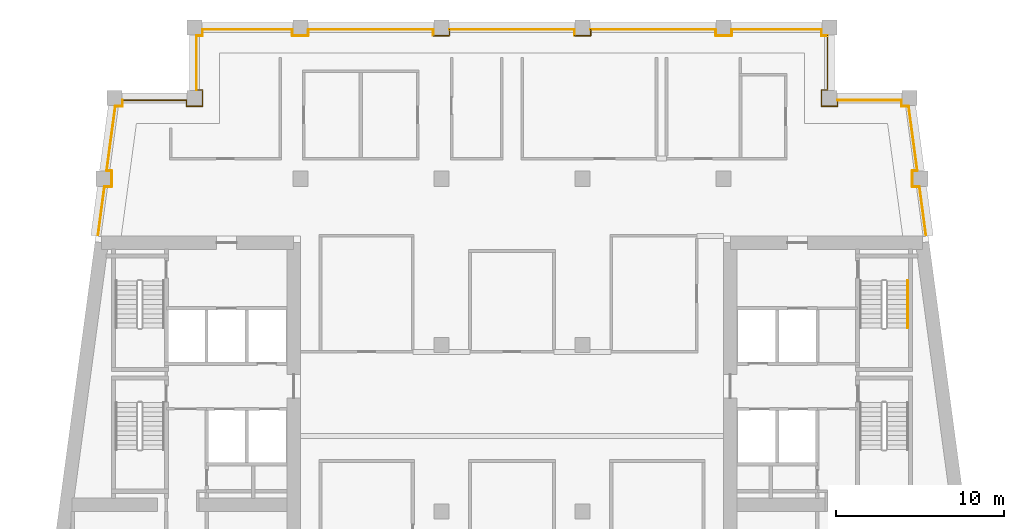
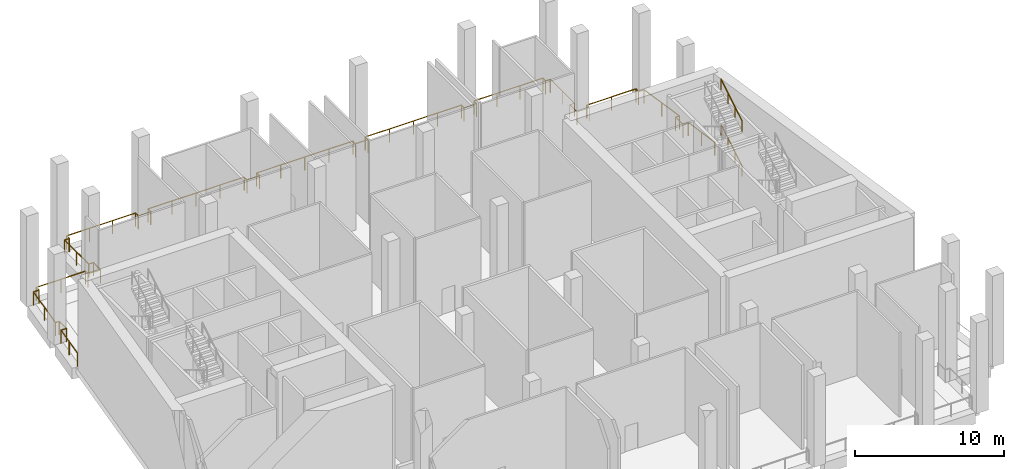
# One storey, part 10 of 10: 17 railings.
"""IFC4 building model written with IfcOpenShell, lengths in metres."""

from ifc_helpers import new_model, si_unit, direction, frame, origin, origin_2d, place, context, subcontext, project, spatial, circle, extrude, material, type_object, element, save


model = new_model("IFC4")

# Units and contexts
model_context = context("Model", 3, precision=1e-05, world=origin(), true_north=direction((0.0, 1.0)))
body_context = subcontext(model_context, "Body", "Model", "MODEL_VIEW")
ifc_project = project(units=[si_unit("LENGTHUNIT", "METRE"), si_unit("AREAUNIT", "SQUARE_METRE"), si_unit("VOLUMEUNIT", "CUBIC_METRE"), si_unit("PLANEANGLEUNIT", "RADIAN"), si_unit("MASSUNIT", "GRAM", prefix="KILO")], contexts=[model_context])

# Site, building, storey
site_placement = place(None, origin())
site = spatial("IfcSite", under=ifc_project, at=site_placement, CompositionType="ELEMENT")
building_placement = place(site_placement, origin())
building = spatial("IfcBuilding", under=site, at=building_placement, Name="Candeia Pilgrim Tower and Theatre", CompositionType="ELEMENT")
storey_placement = place(building_placement, frame((0.0, 0.0, 246.60009765625)))
storey = spatial("IfcBuildingStorey", under=building, at=storey_placement, Name="L60", CompositionType="ELEMENT", Elevation=246.60009765625)

# Railings
ifc_material_1 = material(Name="Stainless steel balustrade", Category="steel")
railing_type_1 = type_object("IfcRailingType", Name="G1 loggia guard 1100", PredefinedType="GUARDRAIL", material=ifc_material_1)
railing_1_placement = place(storey_placement, frame((88.758544921875, 132.449951171875, 0.0)))
element("IfcRailing", 1, at=railing_1_placement, inside=storey, type_object=railing_type_1, Name="Guard L60.4", PredefinedType="GUARDRAIL", context=body_context, shape_type="SweptSolid", body=[
    extrude(circle(Radius=0.02392578125, at=origin_2d()), frame((0.0, 0.0, 1.076171875), z_axis=(0.133450228179, 0.991055516406, 0.0), x_axis=(-0.991055516406, 0.133450228179, 0.0)), (0.0, 0.0, 1.0), 2.89599609375),
    extrude(circle(Radius=0.02392578125, at=origin_2d()), frame((0.386474609375, 2.8701171875, 1.076171875), z_axis=(1.0, 0.0, 0.0), x_axis=(0.0, 1.0, 0.0)), (0.0, 0.0, 1.0), 0.42333984375),
    extrude(circle(Radius=0.02392578125, at=origin_2d()), frame((0.809814453125, 2.8701171875, 1.076171875), z_axis=(0.0, 1.0, 0.0), x_axis=(-1.0, 0.0, 0.0)), (0.0, 0.0, 1.0), 0.9599609375),
    extrude(circle(Radius=0.02392578125, at=origin_2d()), frame((0.809814453125, 3.830078125, 1.076171875), z_axis=(-1.0, 0.0, 0.0), x_axis=(0.0, -1.0, 0.0)), (0.0, 0.0, 1.0), 0.294189453125),
    extrude(circle(Radius=0.02099609375, at=origin_2d()), origin(), (0.0, 0.0, 1.0), 1.052001953125),
    extrude(circle(Radius=0.02099609375, at=origin_2d()), frame((0.193359375, 1.43505859375, 0.0)), (0.0, 0.0, 1.0), 1.052001953125),
    extrude(circle(Radius=0.02099609375, at=origin_2d()), frame((0.386474609375, 2.8701171875, 0.0)), (0.0, 0.0, 1.0), 1.052001953125),
    extrude(circle(Radius=0.02099609375, at=origin_2d()), frame((0.809814453125, 2.8701171875, 0.0)), (0.0, 0.0, 1.0), 1.052001953125),
    extrude(circle(Radius=0.02099609375, at=origin_2d()), frame((0.809814453125, 3.830078125, 0.0)), (0.0, 0.0, 1.0), 1.052001953125),
    extrude(circle(Radius=0.02099609375, at=origin_2d()), frame((0.515625, 3.830078125, 0.0)), (0.0, 0.0, 1.0), 1.052001953125),
])
railing_2_placement = place(storey_placement, frame((89.274169921875, 136.280029296875, 0.0)))
element("IfcRailing", 2, at=railing_2_placement, inside=storey, type_object=railing_type_1, Name="Guard L60.5", PredefinedType="GUARDRAIL", context=body_context, shape_type="SweptSolid", body=[
    extrude(circle(Radius=0.02392578125, at=origin_2d()), frame((0.0, 0.0, 1.076171875), z_axis=(0.133389399471, 0.991063705374, 0.0), x_axis=(-0.991063705374, 0.133389399471, 0.0)), (0.0, 0.0, 1.0), 3.874755859375),
    extrude(circle(Radius=0.02392578125, at=origin_2d()), frame((0.516845703125, 3.840087890625, 1.076171875), z_axis=(1.0, 0.0, 0.0), x_axis=(0.0, 1.0, 0.0)), (0.0, 0.0, 1.0), 0.423583984375),
    extrude(circle(Radius=0.02392578125, at=origin_2d()), frame((0.9404296875, 3.840087890625, 1.076171875), z_axis=(0.0, 1.0, 0.0), x_axis=(-1.0, 0.0, 0.0)), (0.0, 0.0, 1.0), 0.35986328125),
    extrude(circle(Radius=0.02099609375, at=origin_2d()), origin(), (0.0, 0.0, 1.0), 1.052001953125),
    extrude(circle(Radius=0.02099609375, at=origin_2d()), frame((0.25830078125, 1.919921875, 0.0)), (0.0, 0.0, 1.0), 1.052001953125),
    extrude(circle(Radius=0.02099609375, at=origin_2d()), frame((0.516845703125, 3.840087890625, 0.0)), (0.0, 0.0, 1.0), 1.052001953125),
    extrude(circle(Radius=0.02099609375, at=origin_2d()), frame((0.9404296875, 3.840087890625, 0.0)), (0.0, 0.0, 1.0), 1.052001953125),
    extrude(circle(Radius=0.02099609375, at=origin_2d()), frame((0.9404296875, 4.199951171875, 0.0)), (0.0, 0.0, 1.0), 1.052001953125),
])
railing_3_placement = place(storey_placement, frame((90.214599609375, 140.47998046875, 0.0)))
element("IfcRailing", 3, at=railing_3_placement, inside=storey, type_object=railing_type_1, Name="Guard L60.6", PredefinedType="GUARDRAIL", context=body_context, shape_type="SweptSolid", body=[
    extrude(circle(Radius=0.02392578125, at=origin_2d()), frame((0.0, 0.0, 1.076171875), z_axis=(1.0, 0.0, 0.0), x_axis=(0.0, 1.0, 0.0)), (0.0, 0.0, 1.0), 3.805419921875),
    extrude(circle(Radius=0.02392578125, at=origin_2d()), frame((3.805419921875, 0.0, 1.076171875), z_axis=(0.0, -1.0, 0.0), x_axis=(1.0, 0.0, 0.0)), (0.0, 0.0, 1.0), 0.35986328125),
    extrude(circle(Radius=0.02392578125, at=origin_2d()), frame((3.805419921875, -0.35986328125, 1.076171875), z_axis=(1.0, 0.0, 0.0), x_axis=(0.0, 1.0, 0.0)), (0.0, 0.0, 1.0), 0.9599609375),
    extrude(circle(Radius=0.02392578125, at=origin_2d()), frame((4.765380859375, -0.35986328125, 1.076171875), z_axis=(0.0, 1.0, 0.0), x_axis=(-1.0, 0.0, 0.0)), (0.0, 0.0, 1.0), 0.9599609375),
    extrude(circle(Radius=0.02392578125, at=origin_2d()), frame((4.765380859375, 0.60009765625, 1.076171875), z_axis=(-1.0, 0.0, 0.0), x_axis=(0.0, -1.0, 0.0)), (0.0, 0.0, 1.0), 0.35986328125),
    extrude(circle(Radius=0.02099609375, at=origin_2d()), origin(), (0.0, 0.0, 1.0), 1.052001953125),
    extrude(circle(Radius=0.02099609375, at=origin_2d()), frame((1.90283203125, 0.0, 0.0)), (0.0, 0.0, 1.0), 1.052001953125),
    extrude(circle(Radius=0.02099609375, at=origin_2d()), frame((3.805419921875, 0.0, 0.0)), (0.0, 0.0, 1.0), 1.052001953125),
    extrude(circle(Radius=0.02099609375, at=origin_2d()), frame((3.805419921875, -0.35986328125, 0.0)), (0.0, 0.0, 1.0), 1.052001953125),
    extrude(circle(Radius=0.02099609375, at=origin_2d()), frame((4.765380859375, -0.35986328125, 0.0)), (0.0, 0.0, 1.0), 1.052001953125),
    extrude(circle(Radius=0.02099609375, at=origin_2d()), frame((4.765380859375, 0.60009765625, 0.0)), (0.0, 0.0, 1.0), 1.052001953125),
    extrude(circle(Radius=0.02099609375, at=origin_2d()), frame((4.405517578125, 0.60009765625, 0.0)), (0.0, 0.0, 1.0), 1.052001953125),
])
railing_4_placement = place(storey_placement, frame((94.6201171875, 141.080078125, 0.0)))
element("IfcRailing", 4, at=railing_4_placement, inside=storey, type_object=railing_type_1, Name="Guard L60.7", PredefinedType="GUARDRAIL", context=body_context, shape_type="SweptSolid", body=[
    extrude(circle(Radius=0.02392578125, at=origin_2d()), frame((0.0, 0.0, 1.076171875), z_axis=(0.0, 1.0, 0.0), x_axis=(-1.0, 0.0, 0.0)), (0.0, 0.0, 1.0), 3.239990234375),
    extrude(circle(Radius=0.02392578125, at=origin_2d()), frame((0.0, 3.239990234375, 1.076171875), z_axis=(1.0, 0.0, 0.0), x_axis=(0.0, 1.0, 0.0)), (0.0, 0.0, 1.0), 0.35986328125),
    extrude(circle(Radius=0.02392578125, at=origin_2d()), frame((0.35986328125, 3.239990234375, 1.076171875), z_axis=(0.0, 1.0, 0.0), x_axis=(-1.0, 0.0, 0.0)), (0.0, 0.0, 1.0), 0.35986328125),
    extrude(circle(Radius=0.02099609375, at=origin_2d()), origin(), (0.0, 0.0, 1.0), 1.052001953125),
    extrude(circle(Radius=0.02099609375, at=origin_2d()), frame((0.0, 1.6201171875, 0.0)), (0.0, 0.0, 1.0), 1.052001953125),
    extrude(circle(Radius=0.02099609375, at=origin_2d()), frame((0.0, 3.239990234375, 0.0)), (0.0, 0.0, 1.0), 1.052001953125),
    extrude(circle(Radius=0.02099609375, at=origin_2d()), frame((0.35986328125, 3.239990234375, 0.0)), (0.0, 0.0, 1.0), 1.052001953125),
    extrude(circle(Radius=0.02099609375, at=origin_2d()), frame((0.35986328125, 3.599853515625, 0.0)), (0.0, 0.0, 1.0), 1.052001953125),
])
railing_5_placement = place(storey_placement, frame((94.97998046875, 144.679931640625, 0.0)))
element("IfcRailing", 5, at=railing_5_placement, inside=storey, type_object=railing_type_1, Name="Guard L60.8", PredefinedType="GUARDRAIL", context=body_context, shape_type="SweptSolid", body=[
    extrude(circle(Radius=0.02392578125, at=origin_2d()), frame((0.0, 0.0, 1.076171875), z_axis=(1.0, 0.0, 0.0), x_axis=(0.0, 1.0, 0.0)), (0.0, 0.0, 1.0), 5.340087890625),
    extrude(circle(Radius=0.02392578125, at=origin_2d()), frame((5.340087890625, 0.0, 1.076171875), z_axis=(0.0, -1.0, 0.0), x_axis=(1.0, 0.0, 0.0)), (0.0, 0.0, 1.0), 0.35986328125),
    extrude(circle(Radius=0.02392578125, at=origin_2d()), frame((5.340087890625, -0.35986328125, 1.076171875), z_axis=(1.0, 0.0, 0.0), x_axis=(0.0, 1.0, 0.0)), (0.0, 0.0, 1.0), 0.9599609375),
    extrude(circle(Radius=0.02392578125, at=origin_2d()), frame((6.300048828125, -0.35986328125, 1.076171875), z_axis=(0.0, 1.0, 0.0), x_axis=(-1.0, 0.0, 0.0)), (0.0, 0.0, 1.0), 0.35986328125),
    extrude(circle(Radius=0.02099609375, at=origin_2d()), origin(), (0.0, 0.0, 1.0), 1.052001953125),
    extrude(circle(Radius=0.02099609375, at=origin_2d()), frame((1.780029296875, 0.0, 0.0)), (0.0, 0.0, 1.0), 1.052001953125),
    extrude(circle(Radius=0.02099609375, at=origin_2d()), frame((3.56005859375, 0.0, 0.0)), (0.0, 0.0, 1.0), 1.052001953125),
    extrude(circle(Radius=0.02099609375, at=origin_2d()), frame((5.340087890625, 0.0, 0.0)), (0.0, 0.0, 1.0), 1.052001953125),
    extrude(circle(Radius=0.02099609375, at=origin_2d()), frame((5.340087890625, -0.35986328125, 0.0)), (0.0, 0.0, 1.0), 1.052001953125),
    extrude(circle(Radius=0.02099609375, at=origin_2d()), frame((6.300048828125, -0.35986328125, 0.0)), (0.0, 0.0, 1.0), 1.052001953125),
    extrude(circle(Radius=0.02099609375, at=origin_2d()), frame((6.300048828125, 0.0, 0.0)), (0.0, 0.0, 1.0), 1.052001953125),
])
railing_6_placement = place(storey_placement, frame((101.280029296875, 144.679931640625, 0.0)))
element("IfcRailing", 6, at=railing_6_placement, inside=storey, type_object=railing_type_1, Name="Guard L60.9", PredefinedType="GUARDRAIL", context=body_context, shape_type="SweptSolid", body=[
    extrude(circle(Radius=0.02392578125, at=origin_2d()), frame((0.0, 0.0, 1.076171875), z_axis=(1.0, 0.0, 0.0), x_axis=(0.0, 1.0, 0.0)), (0.0, 0.0, 1.0), 7.43994140625),
    extrude(circle(Radius=0.02392578125, at=origin_2d()), frame((7.43994140625, 0.0, 1.076171875), z_axis=(0.0, -1.0, 0.0), x_axis=(1.0, 0.0, 0.0)), (0.0, 0.0, 1.0), 0.35986328125),
    extrude(circle(Radius=0.02099609375, at=origin_2d()), origin(), (0.0, 0.0, 1.0), 1.052001953125),
    extrude(circle(Radius=0.02099609375, at=origin_2d()), frame((1.85986328125, 0.0, 0.0)), (0.0, 0.0, 1.0), 1.052001953125),
    extrude(circle(Radius=0.02099609375, at=origin_2d()), frame((3.719970703125, 0.0, 0.0)), (0.0, 0.0, 1.0), 1.052001953125),
    extrude(circle(Radius=0.02099609375, at=origin_2d()), frame((5.580078125, 0.0, 0.0)), (0.0, 0.0, 1.0), 1.052001953125),
    extrude(circle(Radius=0.02099609375, at=origin_2d()), frame((7.43994140625, 0.0, 0.0)), (0.0, 0.0, 1.0), 1.052001953125),
    extrude(circle(Radius=0.02099609375, at=origin_2d()), frame((7.43994140625, -0.35986328125, 0.0)), (0.0, 0.0, 1.0), 1.052001953125),
])
railing_7_placement = place(storey_placement, frame((108.719970703125, 144.320068359375, 0.0)))
element("IfcRailing", 7, at=railing_7_placement, inside=storey, type_object=railing_type_1, Name="Guard L60.10", PredefinedType="GUARDRAIL", context=body_context, shape_type="SweptSolid", body=[
    extrude(circle(Radius=0.02392578125, at=origin_2d()), frame((0.0, 0.0, 1.076171875), z_axis=(1.0, 0.0, 0.0), x_axis=(0.0, 1.0, 0.0)), (0.0, 0.0, 1.0), 0.9599609375),
    extrude(circle(Radius=0.02392578125, at=origin_2d()), frame((0.9599609375, 0.0, 1.076171875), z_axis=(0.0, 1.0, 0.0), x_axis=(-1.0, 0.0, 0.0)), (0.0, 0.0, 1.0), 0.35986328125),
    extrude(circle(Radius=0.02099609375, at=origin_2d()), origin(), (0.0, 0.0, 1.0), 1.052001953125),
    extrude(circle(Radius=0.02099609375, at=origin_2d()), frame((0.9599609375, 0.0, 0.0)), (0.0, 0.0, 1.0), 1.052001953125),
    extrude(circle(Radius=0.02099609375, at=origin_2d()), frame((0.9599609375, 0.35986328125, 0.0)), (0.0, 0.0, 1.0), 1.052001953125),
])
railing_8_placement = place(storey_placement, frame((109.679931640625, 144.679931640625, 0.0)))
element("IfcRailing", 8, at=railing_8_placement, inside=storey, type_object=railing_type_1, Name="Guard L60.11", PredefinedType="GUARDRAIL", context=body_context, shape_type="SweptSolid", body=[
    extrude(circle(Radius=0.02392578125, at=origin_2d()), frame((0.0, 0.0, 1.076171875), z_axis=(1.0, 0.0, 0.0), x_axis=(0.0, 1.0, 0.0)), (0.0, 0.0, 1.0), 7.440185546875),
    extrude(circle(Radius=0.02392578125, at=origin_2d()), frame((7.440185546875, 0.0, 1.076171875), z_axis=(0.0, -1.0, 0.0), x_axis=(1.0, 0.0, 0.0)), (0.0, 0.0, 1.0), 0.35986328125),
    extrude(circle(Radius=0.02099609375, at=origin_2d()), origin(), (0.0, 0.0, 1.0), 1.052001953125),
    extrude(circle(Radius=0.02099609375, at=origin_2d()), frame((1.860107421875, 0.0, 0.0)), (0.0, 0.0, 1.0), 1.052001953125),
    extrude(circle(Radius=0.02099609375, at=origin_2d()), frame((3.72021484375, 0.0, 0.0)), (0.0, 0.0, 1.0), 1.052001953125),
    extrude(circle(Radius=0.02099609375, at=origin_2d()), frame((5.580078125, 0.0, 0.0)), (0.0, 0.0, 1.0), 1.052001953125),
    extrude(circle(Radius=0.02099609375, at=origin_2d()), frame((7.440185546875, 0.0, 0.0)), (0.0, 0.0, 1.0), 1.052001953125),
    extrude(circle(Radius=0.02099609375, at=origin_2d()), frame((7.440185546875, -0.35986328125, 0.0)), (0.0, 0.0, 1.0), 1.052001953125),
])
railing_9_placement = place(storey_placement, frame((117.1201171875, 144.320068359375, 0.0)))
element("IfcRailing", 9, at=railing_9_placement, inside=storey, type_object=railing_type_1, Name="Guard L60.12", PredefinedType="GUARDRAIL", context=body_context, shape_type="SweptSolid", body=[
    extrude(circle(Radius=0.02392578125, at=origin_2d()), frame((0.0, 0.0, 1.076171875), z_axis=(1.0, 0.0, 0.0), x_axis=(0.0, 1.0, 0.0)), (0.0, 0.0, 1.0), 0.9599609375),
    extrude(circle(Radius=0.02392578125, at=origin_2d()), frame((0.9599609375, 0.0, 1.076171875), z_axis=(0.0, 1.0, 0.0), x_axis=(-1.0, 0.0, 0.0)), (0.0, 0.0, 1.0), 0.35986328125),
    extrude(circle(Radius=0.02099609375, at=origin_2d()), origin(), (0.0, 0.0, 1.0), 1.052001953125),
    extrude(circle(Radius=0.02099609375, at=origin_2d()), frame((0.9599609375, 0.0, 0.0)), (0.0, 0.0, 1.0), 1.052001953125),
    extrude(circle(Radius=0.02099609375, at=origin_2d()), frame((0.9599609375, 0.35986328125, 0.0)), (0.0, 0.0, 1.0), 1.052001953125),
])
railing_10_placement = place(storey_placement, frame((118.080078125, 144.679931640625, 0.0)))
element("IfcRailing", 10, at=railing_10_placement, inside=storey, type_object=railing_type_1, Name="Guard L60.13", PredefinedType="GUARDRAIL", context=body_context, shape_type="SweptSolid", body=[
    extrude(circle(Radius=0.02392578125, at=origin_2d()), frame((0.0, 0.0, 1.076171875), z_axis=(1.0, 0.0, 0.0), x_axis=(0.0, 1.0, 0.0)), (0.0, 0.0, 1.0), 7.43994140625),
    extrude(circle(Radius=0.02392578125, at=origin_2d()), frame((7.43994140625, 0.0, 1.076171875), z_axis=(0.0, -1.0, 0.0), x_axis=(1.0, 0.0, 0.0)), (0.0, 0.0, 1.0), 0.35986328125),
    extrude(circle(Radius=0.02099609375, at=origin_2d()), origin(), (0.0, 0.0, 1.0), 1.052001953125),
    extrude(circle(Radius=0.02099609375, at=origin_2d()), frame((1.85986328125, 0.0, 0.0)), (0.0, 0.0, 1.0), 1.052001953125),
    extrude(circle(Radius=0.02099609375, at=origin_2d()), frame((3.719970703125, 0.0, 0.0)), (0.0, 0.0, 1.0), 1.052001953125),
    extrude(circle(Radius=0.02099609375, at=origin_2d()), frame((5.580078125, 0.0, 0.0)), (0.0, 0.0, 1.0), 1.052001953125),
    extrude(circle(Radius=0.02099609375, at=origin_2d()), frame((7.43994140625, 0.0, 0.0)), (0.0, 0.0, 1.0), 1.052001953125),
    extrude(circle(Radius=0.02099609375, at=origin_2d()), frame((7.43994140625, -0.35986328125, 0.0)), (0.0, 0.0, 1.0), 1.052001953125),
])
railing_11_placement = place(storey_placement, frame((125.52001953125, 144.320068359375, 0.0)))
element("IfcRailing", 11, at=railing_11_placement, inside=storey, type_object=railing_type_1, Name="Guard L60.14", PredefinedType="GUARDRAIL", context=body_context, shape_type="SweptSolid", body=[
    extrude(circle(Radius=0.02392578125, at=origin_2d()), frame((0.0, 0.0, 1.076171875), z_axis=(1.0, 0.0, 0.0), x_axis=(0.0, 1.0, 0.0)), (0.0, 0.0, 1.0), 0.9599609375),
    extrude(circle(Radius=0.02392578125, at=origin_2d()), frame((0.9599609375, 0.0, 1.076171875), z_axis=(0.0, 1.0, 0.0), x_axis=(-1.0, 0.0, 0.0)), (0.0, 0.0, 1.0), 0.35986328125),
    extrude(circle(Radius=0.02392578125, at=origin_2d()), frame((0.9599609375, 0.35986328125, 1.076171875), z_axis=(1.0, 0.0, 0.0), x_axis=(0.0, 1.0, 0.0)), (0.0, 0.0, 1.0), 5.340087890625),
    extrude(circle(Radius=0.02392578125, at=origin_2d()), frame((6.300048828125, 0.35986328125, 1.076171875), z_axis=(0.0, -1.0, 0.0), x_axis=(1.0, 0.0, 0.0)), (0.0, 0.0, 1.0), 0.35986328125),
    extrude(circle(Radius=0.02392578125, at=origin_2d()), frame((6.300048828125, 0.0, 1.076171875), z_axis=(1.0, 0.0, 0.0), x_axis=(0.0, 1.0, 0.0)), (0.0, 0.0, 1.0), 0.35986328125),
    extrude(circle(Radius=0.02099609375, at=origin_2d()), origin(), (0.0, 0.0, 1.0), 1.052001953125),
    extrude(circle(Radius=0.02099609375, at=origin_2d()), frame((0.9599609375, 0.0, 0.0)), (0.0, 0.0, 1.0), 1.052001953125),
    extrude(circle(Radius=0.02099609375, at=origin_2d()), frame((0.9599609375, 0.35986328125, 0.0)), (0.0, 0.0, 1.0), 1.052001953125),
    extrude(circle(Radius=0.02099609375, at=origin_2d()), frame((2.739990234375, 0.35986328125, 0.0)), (0.0, 0.0, 1.0), 1.052001953125),
    extrude(circle(Radius=0.02099609375, at=origin_2d()), frame((4.52001953125, 0.35986328125, 0.0)), (0.0, 0.0, 1.0), 1.052001953125),
    extrude(circle(Radius=0.02099609375, at=origin_2d()), frame((6.300048828125, 0.35986328125, 0.0)), (0.0, 0.0, 1.0), 1.052001953125),
    extrude(circle(Radius=0.02099609375, at=origin_2d()), frame((6.300048828125, 0.0, 0.0)), (0.0, 0.0, 1.0), 1.052001953125),
    extrude(circle(Radius=0.02099609375, at=origin_2d()), frame((6.659912109375, 0.0, 0.0)), (0.0, 0.0, 1.0), 1.052001953125),
])
railing_12_placement = place(storey_placement, frame((132.179931640625, 144.320068359375, 0.0)))
element("IfcRailing", 12, at=railing_12_placement, inside=storey, type_object=railing_type_1, Name="Guard L60.15", PredefinedType="GUARDRAIL", context=body_context, shape_type="SweptSolid", body=[
    extrude(circle(Radius=0.02392578125, at=origin_2d()), frame((0.0, 0.0, 1.076171875), z_axis=(0.0, -1.0, 0.0), x_axis=(1.0, 0.0, 0.0)), (0.0, 0.0, 1.0), 3.239990234375),
    extrude(circle(Radius=0.02392578125, at=origin_2d()), frame((0.0, -3.239990234375, 1.076171875), z_axis=(-1.0, 0.0, 0.0), x_axis=(0.0, -1.0, 0.0)), (0.0, 0.0, 1.0), 0.35986328125),
    extrude(circle(Radius=0.02392578125, at=origin_2d()), frame((-0.35986328125, -3.239990234375, 1.076171875), z_axis=(0.0, -1.0, 0.0), x_axis=(1.0, 0.0, 0.0)), (0.0, 0.0, 1.0), 0.9599609375),
    extrude(circle(Radius=0.02392578125, at=origin_2d()), frame((-0.35986328125, -4.199951171875, 1.076171875), z_axis=(1.0, 0.0, 0.0), x_axis=(0.0, 1.0, 0.0)), (0.0, 0.0, 1.0), 0.9599609375),
    extrude(circle(Radius=0.02392578125, at=origin_2d()), frame((0.60009765625, -4.199951171875, 1.076171875), z_axis=(0.0, 1.0, 0.0), x_axis=(-1.0, 0.0, 0.0)), (0.0, 0.0, 1.0), 0.35986328125),
    extrude(circle(Radius=0.02099609375, at=origin_2d()), origin(), (0.0, 0.0, 1.0), 1.052001953125),
    extrude(circle(Radius=0.02099609375, at=origin_2d()), frame((0.0, -1.6201171875, 0.0)), (0.0, 0.0, 1.0), 1.052001953125),
    extrude(circle(Radius=0.02099609375, at=origin_2d()), frame((0.0, -3.239990234375, 0.0)), (0.0, 0.0, 1.0), 1.052001953125),
    extrude(circle(Radius=0.02099609375, at=origin_2d()), frame((-0.35986328125, -3.239990234375, 0.0)), (0.0, 0.0, 1.0), 1.052001953125),
    extrude(circle(Radius=0.02099609375, at=origin_2d()), frame((-0.35986328125, -4.199951171875, 0.0)), (0.0, 0.0, 1.0), 1.052001953125),
    extrude(circle(Radius=0.02099609375, at=origin_2d()), frame((0.60009765625, -4.199951171875, 0.0)), (0.0, 0.0, 1.0), 1.052001953125),
    extrude(circle(Radius=0.02099609375, at=origin_2d()), frame((0.60009765625, -3.840087890625, 0.0)), (0.0, 0.0, 1.0), 1.052001953125),
])
railing_13_placement = place(storey_placement, frame((132.780029296875, 140.47998046875, 0.0)))
element("IfcRailing", 13, at=railing_13_placement, inside=storey, type_object=railing_type_1, Name="Guard L60.16", PredefinedType="GUARDRAIL", context=body_context, shape_type="SweptSolid", body=[
    extrude(circle(Radius=0.02392578125, at=origin_2d()), frame((0.0, 0.0, 1.076171875), z_axis=(1.0, 0.0, 0.0), x_axis=(0.0, 1.0, 0.0)), (0.0, 0.0, 1.0), 3.805419921875),
    extrude(circle(Radius=0.02392578125, at=origin_2d()), frame((3.805419921875, 0.0, 1.076171875), z_axis=(0.0, -1.0, 0.0), x_axis=(1.0, 0.0, 0.0)), (0.0, 0.0, 1.0), 0.35986328125),
    extrude(circle(Radius=0.02392578125, at=origin_2d()), frame((3.805419921875, -0.35986328125, 1.076171875), z_axis=(1.0, 0.0, 0.0), x_axis=(0.0, 1.0, 0.0)), (0.0, 0.0, 1.0), 0.423583984375),
    extrude(circle(Radius=0.02099609375, at=origin_2d()), origin(), (0.0, 0.0, 1.0), 1.052001953125),
    extrude(circle(Radius=0.02099609375, at=origin_2d()), frame((1.90283203125, 0.0, 0.0)), (0.0, 0.0, 1.0), 1.052001953125),
    extrude(circle(Radius=0.02099609375, at=origin_2d()), frame((3.805419921875, 0.0, 0.0)), (0.0, 0.0, 1.0), 1.052001953125),
    extrude(circle(Radius=0.02099609375, at=origin_2d()), frame((3.805419921875, -0.35986328125, 0.0)), (0.0, 0.0, 1.0), 1.052001953125),
    extrude(circle(Radius=0.02099609375, at=origin_2d()), frame((4.22900390625, -0.35986328125, 0.0)), (0.0, 0.0, 1.0), 1.052001953125),
])
railing_14_placement = place(storey_placement, frame((137.009033203125, 140.1201171875, 0.0)))
element("IfcRailing", 14, at=railing_14_placement, inside=storey, type_object=railing_type_1, Name="Guard L60.17", PredefinedType="GUARDRAIL", context=body_context, shape_type="SweptSolid", body=[
    extrude(circle(Radius=0.02392578125, at=origin_2d()), frame((0.0, 0.0, 1.076171875), z_axis=(0.133389399471, -0.991063705374, 0.0), x_axis=(0.991063705374, 0.133389399471, 0.0)), (0.0, 0.0, 1.0), 3.874755859375),
    extrude(circle(Radius=0.02392578125, at=origin_2d()), frame((0.516845703125, -3.840087890625, 1.076171875), z_axis=(-1.0, 0.0, 0.0), x_axis=(0.0, -1.0, 0.0)), (0.0, 0.0, 1.0), 0.29443359375),
    extrude(circle(Radius=0.02392578125, at=origin_2d()), frame((0.222412109375, -3.840087890625, 1.076171875), z_axis=(0.0, -1.0, 0.0), x_axis=(1.0, 0.0, 0.0)), (0.0, 0.0, 1.0), 0.9599609375),
    extrude(circle(Radius=0.02392578125, at=origin_2d()), frame((0.222412109375, -4.800048828125, 1.076171875), z_axis=(1.0, 0.0, 0.0), x_axis=(0.0, 1.0, 0.0)), (0.0, 0.0, 1.0), 0.423583984375),
    extrude(circle(Radius=0.02099609375, at=origin_2d()), origin(), (0.0, 0.0, 1.0), 1.052001953125),
    extrude(circle(Radius=0.02099609375, at=origin_2d()), frame((0.25830078125, -1.919921875, 0.0)), (0.0, 0.0, 1.0), 1.052001953125),
    extrude(circle(Radius=0.02099609375, at=origin_2d()), frame((0.516845703125, -3.840087890625, 0.0)), (0.0, 0.0, 1.0), 1.052001953125),
    extrude(circle(Radius=0.02099609375, at=origin_2d()), frame((0.222412109375, -3.840087890625, 0.0)), (0.0, 0.0, 1.0), 1.052001953125),
    extrude(circle(Radius=0.02099609375, at=origin_2d()), frame((0.222412109375, -4.800048828125, 0.0)), (0.0, 0.0, 1.0), 1.052001953125),
    extrude(circle(Radius=0.02099609375, at=origin_2d()), frame((0.64599609375, -4.800048828125, 0.0)), (0.0, 0.0, 1.0), 1.052001953125),
])
railing_15_placement = place(storey_placement, frame((137.655029296875, 135.320068359375, 0.0)))
element("IfcRailing", 15, at=railing_15_placement, inside=storey, type_object=railing_type_1, Name="Guard L60.18", PredefinedType="GUARDRAIL", context=body_context, shape_type="SweptSolid", body=[
    extrude(circle(Radius=0.02392578125, at=origin_2d()), frame((0.0, 0.0, 1.076171875), z_axis=(0.133450228179, -0.991055516406, 0.0), x_axis=(0.991055516406, 0.133450228179, 0.0)), (0.0, 0.0, 1.0), 2.89599609375),
    extrude(circle(Radius=0.02099609375, at=origin_2d()), origin(), (0.0, 0.0, 1.0), 1.052001953125),
    extrude(circle(Radius=0.02099609375, at=origin_2d()), frame((0.193359375, -1.43505859375, 0.0)), (0.0, 0.0, 1.0), 1.052001953125),
    extrude(circle(Radius=0.02099609375, at=origin_2d()), frame((0.386474609375, -2.8701171875, 0.0)), (0.0, 0.0, 1.0), 1.052001953125),
])
ifc_material_2 = material(Name="Stainless steel handrail", Category="steel")
railing_type_2 = type_object("IfcRailingType", Name="RL-HANDRAIL-900", PredefinedType="HANDRAIL", material=ifc_material_2)
for number, where, name in (
    (16, (136.947998046875, 126.925048828125, 2.01806640625), "L60 ST4 stair handrail 2"),
    (17, (136.947998046875, 126.925048828125, 5.718017578125), "L60 ST4 stair handrail 4"),
):
    element("IfcRailing", number, at=place(storey_placement, frame(where)), inside=storey, type_object=railing_type_2, Name=name, PredefinedType="HANDRAIL", context=body_context, shape_type="SweptSolid", body=[
        extrude(circle(Radius=0.02392578125, at=origin_2d()), frame((0.0, 0.0, 0.8759765625), z_axis=(0.0, 0.857242210791, 0.514913383045), x_axis=(-1.0, 0.0, 0.0)), (0.0, 0.0, 1.0), 3.266357421875),
        extrude(circle(Radius=0.02099609375, at=origin_2d()), origin(), (0.0, 0.0, 1.0), 0.851806640625),
        extrude(circle(Radius=0.02099609375, at=origin_2d()), frame((0.0, 0.933349609375, 0.560546875)), (0.0, 0.0, 1.0), 0.851806640625),
        extrude(circle(Radius=0.02099609375, at=origin_2d()), frame((0.0, 1.86669921875, 1.121337890625)), (0.0, 0.0, 1.0), 0.851806640625),
        extrude(circle(Radius=0.02099609375, at=origin_2d()), frame((0.0, 2.800048828125, 1.681884765625)), (0.0, 0.0, 1.0), 0.851806640625),
    ])

save(model, "model.ifc")
